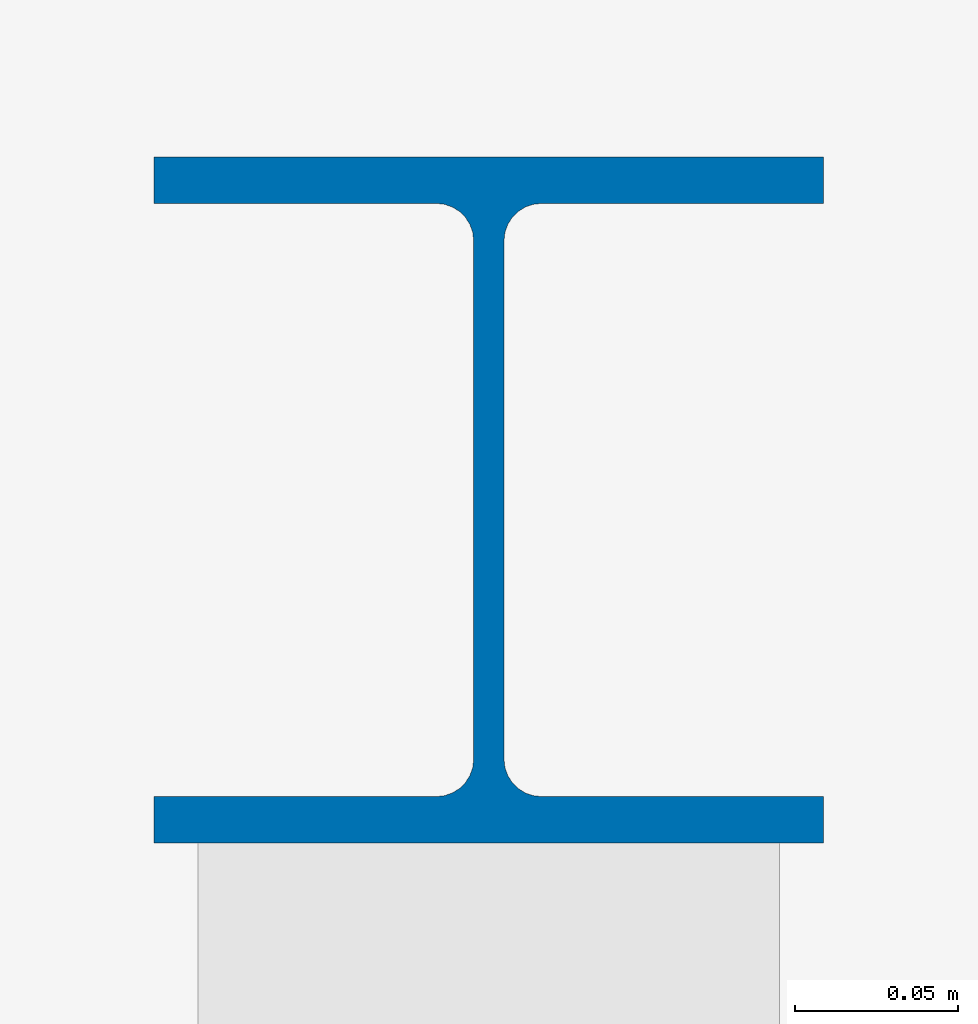
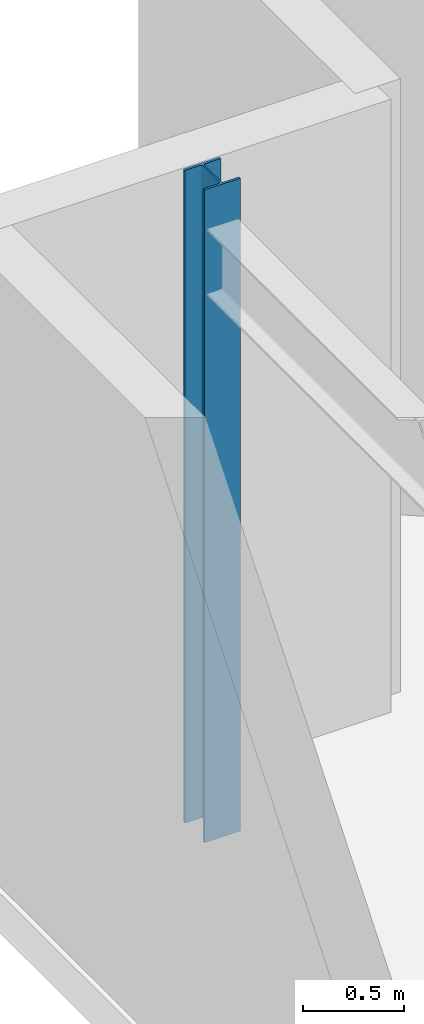
# One storey, part 4 of 16: 1 column.
"""IFC4 building model written with IfcOpenShell, lengths in metres."""

from ifc_helpers import new_model, si_unit, direction, frame, origin, origin_2d, place, context, subcontext, project, spatial, i_section, extrude, material, material_profile, profile_set, type_object, element, save


model = new_model("IFC4")

# Units and contexts
model_context = context("Model", 3, precision=1e-05, world=origin(), true_north=direction((0.0, 1.0)))
body_context = subcontext(model_context, "Body", "Model", "MODEL_VIEW")
ifc_project = project(units=[si_unit("LENGTHUNIT", "METRE"), si_unit("AREAUNIT", "SQUARE_METRE"), si_unit("VOLUMEUNIT", "CUBIC_METRE"), si_unit("PLANEANGLEUNIT", "RADIAN"), si_unit("MASSUNIT", "GRAM", prefix="KILO")], contexts=[model_context])

# Site, building, storey
site_placement = place(None, origin())
site = spatial("IfcSite", under=ifc_project, at=site_placement, CompositionType="ELEMENT")
building_placement = place(site_placement, origin())
building = spatial("IfcBuilding", under=site, at=building_placement, Name="Varnakote Quay Hospital", CompositionType="ELEMENT")
storey_placement = place(building_placement, frame((0.0, 0.0, 296.050048828125)))
storey = spatial("IfcBuildingStorey", under=building, at=storey_placement, Name="L73", CompositionType="ELEMENT", Elevation=296.050048828125)

# Column
ifc_material = material(Name="Structural steel AS/NZS 3679.1 Grade 350 L0 (fy 340 MPa)", Category="steel")
ifc_material_profile = material_profile(ifc_material, i_section(OverallWidth=0.205078125, OverallDepth=0.2099609375, WebThickness=0.00927734375, FlangeThickness=0.01416015625, FilletRadius=0.011474609375, at=origin_2d()), Name="200UC59.5")
ifc_profile_set = profile_set([ifc_material_profile], Name="Structural steel AS/NZS 3679.1 Grade 350 L0 (fy 340 MPa)")
column_type = type_object("IfcColumnType", Name="COL-STL-200UC59-5", PredefinedType="COLUMN", material=ifc_profile_set)
column_placement = place(storey_placement, frame((1.199951171875, 37.199951171875, 0.0), z_axis=(0.0, 0.0, 1.0), x_axis=(1.0, 0.0, 0.0)))
element("IfcColumn", 1, at=column_placement, inside=storey, type_object=column_type, Name="L73 Structural Column C-1-37", PredefinedType="COLUMN", context=body_context, shape_type="SweptSolid", body=[
    extrude(i_section(OverallWidth=0.205078125, OverallDepth=0.2099609375, WebThickness=0.00927734375, FlangeThickness=0.01416015625, FilletRadius=0.011474609375, at=origin_2d()), origin(), (0.0, 0.0, 1.0), 3.949951171875),
])

save(model, "model.ifc")
